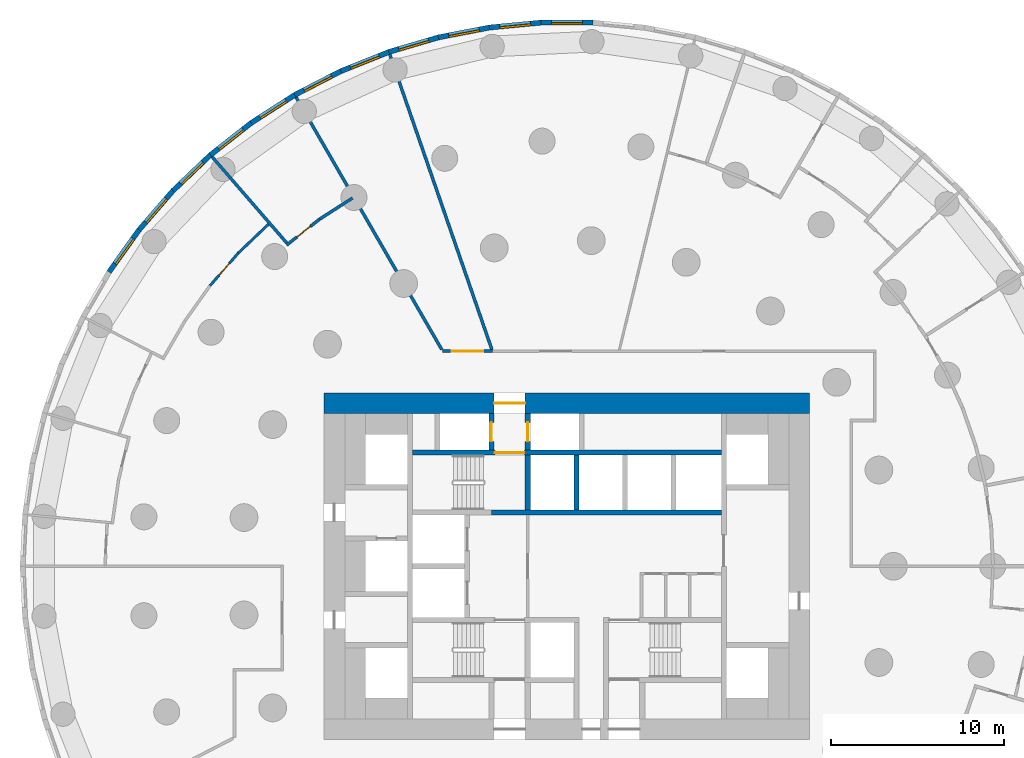
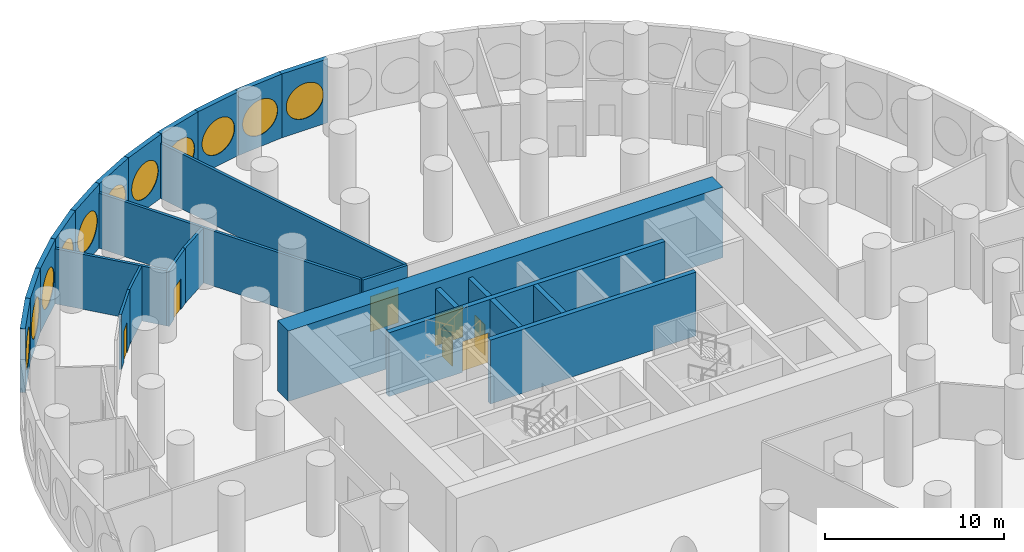
# One storey, part 7 of 12: 26 walls, 11 windows, 7 doors, 18 openings.
"""IFC4 building model written with IfcOpenShell, lengths in metres."""

from ifc_helpers import new_model, si_unit, direction, frame, frame_2d, origin, origin_2d, place, context, subcontext, project, spatial, rectangle, circle, extrude, material, layer, layer_set, type_object, element, fill, save


model = new_model("IFC4")

# Units and contexts
model_context = context("Model", 3, precision=1e-05, world=origin(), true_north=direction((0.0, 1.0)))
body_context = subcontext(model_context, "Body", "Model", "MODEL_VIEW")
ifc_project = project(units=[si_unit("LENGTHUNIT", "METRE"), si_unit("AREAUNIT", "SQUARE_METRE"), si_unit("VOLUMEUNIT", "CUBIC_METRE"), si_unit("PLANEANGLEUNIT", "RADIAN"), si_unit("MASSUNIT", "GRAM", prefix="KILO")], contexts=[model_context])

# Site, building, storey
site_placement = place(None, origin())
site = spatial("IfcSite", under=ifc_project, at=site_placement, CompositionType="ELEMENT")
building_placement = place(site_placement, origin())
building = spatial("IfcBuilding", under=site, at=building_placement, Name="Tracery Tower", CompositionType="ELEMENT")
storey_placement = place(building_placement, frame((0.0, 0.0, 13.800048828125)))
storey = spatial("IfcBuildingStorey", under=building, at=storey_placement, Name="L02", CompositionType="ELEMENT", Elevation=13.800048828125)

# Walls
ifc_material_1 = material(Name="Plasterboard on steel studs", Category="steel")
ifc_layer_1 = layer(ifc_material_1, 0.175048828125)
ifc_layer_set_1 = layer_set([ifc_layer_1], Name="Compartment partition 175")
wall_type_1 = type_object("IfcWallType", Name="Compartment partition 175", PredefinedType="PARTITIONING", material=ifc_layer_set_1)
wall_1_placement = place(storey_placement, frame((-20.447509765625, 23.59765625, 0.0), z_axis=(0.0, 0.0, 1.0), x_axis=(0.654861215344, -0.755749157219, 0.0)))
element("IfcWall", 1, at=wall_1_placement, inside=storey, type_object=wall_type_1, Name="Compartment partition 175", PredefinedType="PARTITIONING", context=body_context, shape_type="SweptSolid", body=[
    extrude(rectangle(XDim=6.570068359375, YDim=0.175048828125, at=frame_2d((3.28515625, 0.0))), origin(), (0.0, 0.0, 1.0), 3.75),
])
wall_2_placement = place(storey_placement, frame((-15.612060546875, 27.041015625, 0.0), z_axis=(0.0, 0.0, 1.0), x_axis=(0.49999534853, -0.866028089296, 0.0)))
element("IfcWall", 2, at=wall_2_placement, inside=storey, type_object=wall_type_1, Name="Compartment partition 175", PredefinedType="PARTITIONING", context=body_context, shape_type="SweptSolid", body=[
    extrude(rectangle(XDim=16.804931640625, YDim=0.175048828125, at=frame_2d((8.40234375, 0.0))), origin(), (0.0, 0.0, 1.0), 3.75),
])

# Wall, opening, door
wall_3_placement = place(storey_placement, frame((-16.156494140625, 18.51220703125, 0.0), z_axis=(0.0, 0.0, 1.0), x_axis=(0.786056297317, 0.618154913795, 0.0)))
wall_3 = element("IfcWall", 3, at=wall_3_placement, inside=storey, type_object=wall_type_1, Name="Compartment partition 175", PredefinedType="PARTITIONING", context=body_context, shape_type="SweptSolid", body=[
    extrude(rectangle(XDim=2.42529296875, YDim=0.175048828125, at=frame_2d((1.212646484375, 0.0))), origin(), (0.0, 0.0, 1.0), 3.75),
])
opening_1_placement = place(wall_3_placement, frame((0.756591796875, 0.0, 0.0)))
opening_1 = element("IfcOpeningElement", 4, at=opening_1_placement, cuts=wall_3, Name="Opening SB-L02-16", PredefinedType="OPENING", context=body_context, shape_type="SweptSolid", body=[
    extrude(rectangle(XDim=1.0, YDim=2.10009765625, at=frame_2d((0.5, 1.050048828125))), frame((0.0, 0.08740234375, 0.0), z_axis=(0.0, -1.0, 0.0), x_axis=(1.0, 0.0, 0.0)), (0.0, 0.0, 1.0), 0.175048828125),
])
ifc_material_2 = material(Name="Timber door leaf", Category="wood")
door_type_1 = type_object("IfcDoorType", Name="Public room door 1000", OperationType="NOTDEFINED", PredefinedType="DOOR", material=ifc_material_2)
door_1_placement = place(opening_1_placement, origin())
door_1 = element("IfcDoor", 5, at=door_1_placement, inside=storey, type_object=door_type_1, Name="Public room door 1000", OperationType="SINGLE_SWING_RIGHT", OverallHeight=2.10009765625, OverallWidth=1.0, PredefinedType="DOOR", context=body_context, shape_type="SweptSolid", body=[
    extrude(rectangle(XDim=1.0, YDim=2.10009765625, at=frame_2d((0.5, 1.050048828125))), frame((0.0, 0.02490234375, 0.0), z_axis=(0.0, -1.0, 0.0), x_axis=(1.0, 0.0, 0.0)), (0.0, 0.0, 1.0), 0.050048828125),
])
fill(opening_1, door_1)

# Walls
wall_4_placement = place(storey_placement, frame((-12.35888671875, 21.226806640625, 0.0), z_axis=(0.0, 0.0, 1.0), x_axis=(-0.841256097882, -0.540636826137, 0.0)))
element("IfcWall", 6, at=wall_4_placement, inside=storey, type_object=wall_type_1, Name="Compartment partition 175", PredefinedType="PARTITIONING", context=body_context, shape_type="SweptSolid", body=[
    extrude(rectangle(XDim=2.248046875, YDim=0.175048828125, at=frame_2d((1.1240234375, 0.0))), origin(), (0.0, 0.0, 1.0), 3.75),
])
wall_5_placement = place(storey_placement, frame((-10.21240234375, 29.507080078125, 0.0), z_axis=(0.0, 0.0, 1.0), x_axis=(0.327061210949, -0.945003155705, 0.0)))
element("IfcWall", 7, at=wall_5_placement, inside=storey, type_object=wall_type_1, Name="Compartment partition 175", PredefinedType="PARTITIONING", context=body_context, shape_type="SweptSolid", body=[
    extrude(rectangle(XDim=18.010009765625, YDim=0.175048828125, at=frame_2d((9.0048828125, 0.0))), origin(), (0.0, 0.0, 1.0), 3.75),
])

# Wall, opening, door
wall_6_placement = place(storey_placement, frame((-7.1591796875, 12.39990234375, 0.0), z_axis=(0.0, 0.0, 1.0), x_axis=(1.0, 0.0, 0.0)))
wall_6 = element("IfcWall", 8, at=wall_6_placement, inside=storey, type_object=wall_type_1, Name="Compartment partition 175", PredefinedType="PARTITIONING", context=body_context, shape_type="SweptSolid", body=[
    extrude(rectangle(XDim=2.867431640625, YDim=0.175048828125, at=frame_2d((1.43359375, 0.0))), origin(), (0.0, 0.0, 1.0), 3.75),
])
opening_2_placement = place(wall_6_placement, frame((0.53369140625, 0.0, 0.0)))
opening_2 = element("IfcOpeningElement", 9, at=opening_2_placement, cuts=wall_6, Name="Opening SB-L02-15", PredefinedType="OPENING", context=body_context, shape_type="SweptSolid", body=[
    extrude(rectangle(XDim=1.800048828125, YDim=2.39990234375, at=frame_2d((0.89990234375, 1.199951171875))), frame((0.0, 0.08740234375, 0.0), z_axis=(0.0, -1.0, 0.0), x_axis=(1.0, 0.0, 0.0)), (0.0, 0.0, 1.0), 0.175048828125),
])
ifc_material_3 = material(Name="Glazed aluminium door", Category="aluminium")
door_type_2 = type_object("IfcDoorType", Name="Hall double door 1800", OperationType="DOUBLE_DOOR_SINGLE_SWING", PredefinedType="DOOR", material=ifc_material_3)
door_2_placement = place(opening_2_placement, origin())
door_2 = element("IfcDoor", 10, at=door_2_placement, inside=storey, type_object=door_type_2, Name="Hall double door 1800", OperationType="DOUBLE_DOOR_SINGLE_SWING", OverallHeight=2.39990234375, OverallWidth=1.800048828125, PredefinedType="DOOR", context=body_context, shape_type="SweptSolid", body=[
    extrude(rectangle(XDim=1.800048828125, YDim=2.39990234375, at=frame_2d((0.89990234375, 1.199951171875))), frame((0.0, 0.02490234375, 0.0), z_axis=(0.0, -1.0, 0.0), x_axis=(1.0, 0.0, 0.0)), (0.0, 0.0, 1.0), 0.050048828125),
])
fill(opening_2, door_2)

ifc_material_4 = material(Name="Concrete C60/75", Category="concrete")
ifc_layer_2 = layer(ifc_material_4, 1.199951171875)
ifc_layer_set_2 = layer_set([ifc_layer_2], Name="Core wall 1200 C60")
wall_type_2 = type_object("IfcWallType", Name="Core wall 1200 C60", PredefinedType="SOLIDWALL", material=ifc_layer_set_2)
wall_7_placement = place(storey_placement, frame((-14.0, 9.39990234375, 0.0), z_axis=(0.0, 0.0, 1.0), x_axis=(1.0, 0.0, 0.0)))
wall_7 = element("IfcWall", 11, at=wall_7_placement, inside=storey, type_object=wall_type_2, Name="L02 outer N", PredefinedType="SOLIDWALL", context=body_context, shape_type="SweptSolid", body=[
    extrude(rectangle(XDim=28.0, YDim=1.199951171875, at=frame_2d((14.0, 0.0))), origin(), (0.0, 0.0, 1.0), 4.800048828125),
])
opening_3_placement = place(wall_7_placement, frame((9.800048828125, 0.0, 0.0)))
opening_3 = element("IfcOpeningElement", 12, at=opening_3_placement, cuts=wall_7, Name="Opening KD13", PredefinedType="OPENING", context=body_context, shape_type="SweptSolid", body=[
    extrude(rectangle(XDim=1.800048828125, YDim=2.10009765625, at=frame_2d((0.89990234375, 1.050048828125))), frame((0.0, 0.60009765625, 0.0), z_axis=(0.0, -1.0, 0.0), x_axis=(1.0, 0.0, 0.0)), (0.0, 0.0, 1.0), 1.199951171875),
])
ifc_material_5 = material(Name="Steel fire door", Category="steel")
door_type_3 = type_object("IfcDoorType", Name="Core exit door 1800 double", OperationType="NOTDEFINED", PredefinedType="DOOR", material=ifc_material_5)
door_3_placement = place(opening_3_placement, origin())
door_3 = element("IfcDoor", 13, at=door_3_placement, inside=storey, type_object=door_type_3, Name="Core exit door", OperationType="DOUBLE_DOOR_SINGLE_SWING", OverallHeight=2.10009765625, OverallWidth=1.800048828125, PredefinedType="DOOR", context=body_context, shape_type="SweptSolid", body=[
    extrude(rectangle(XDim=1.800048828125, YDim=2.10009765625, at=frame_2d((0.89990234375, 1.050048828125))), frame((0.0, 0.02490234375, 0.0), z_axis=(0.0, -1.0, 0.0), x_axis=(1.0, 0.0, 0.0)), (0.0, 0.0, 1.0), 0.050048828125),
])
fill(opening_3, door_3)

ifc_material_6 = material(Name="Plasterboard on steel studs", Category="steel")
ifc_layer_3 = layer(ifc_material_6, 0.14990234375)
ifc_layer_set_3 = layer_set([ifc_layer_3], Name="Corridor partition 150")
wall_type_3 = type_object("IfcWallType", Name="Corridor partition 150", PredefinedType="PARTITIONING", material=ifc_layer_set_3)
wall_8_placement = place(storey_placement, frame((-20.56982421875, 16.17626953125, 0.0), z_axis=(0.0, 0.0, 1.0), x_axis=(0.654811090291, 0.755792587971, 0.0)))
wall_8 = element("IfcWall", 14, at=wall_8_placement, inside=storey, type_object=wall_type_3, Name="Corridor partition 150", PredefinedType="PARTITIONING", context=body_context, shape_type="SweptSolid", body=[
    extrude(rectangle(XDim=2.490234375, YDim=0.14990234375, at=frame_2d((1.2451171875, 0.0))), origin(), (0.0, 0.0, 1.0), 3.75),
])
opening_4_placement = place(wall_8_placement, frame((0.795166015625, 0.0, 0.0)))
opening_4 = element("IfcOpeningElement", 15, at=opening_4_placement, cuts=wall_8, Name="Opening SB-L02-17", PredefinedType="OPENING", context=body_context, shape_type="SweptSolid", body=[
    extrude(rectangle(XDim=0.89990234375, YDim=2.10009765625, at=frame_2d((0.449951171875, 1.050048828125))), frame((0.0, 0.074951171875, 0.0), z_axis=(0.0, -1.0, 0.0), x_axis=(1.0, 0.0, 0.0)), (0.0, 0.0, 1.0), 0.14990234375),
])
ifc_material_7 = material(Name="Steel fire door", Category="steel")
door_type_4 = type_object("IfcDoorType", Name="Store door 900", OperationType="NOTDEFINED", PredefinedType="DOOR", material=ifc_material_7)
door_4_placement = place(opening_4_placement, origin())
door_4 = element("IfcDoor", 16, at=door_4_placement, inside=storey, type_object=door_type_4, Name="Store door 900", OperationType="SINGLE_SWING_RIGHT", OverallHeight=2.10009765625, OverallWidth=0.89990234375, PredefinedType="DOOR", context=body_context, shape_type="SweptSolid", body=[
    extrude(rectangle(XDim=0.89990234375, YDim=2.10009765625, at=frame_2d((0.449951171875, 1.050048828125))), frame((0.0, 0.02490234375, 0.0), z_axis=(0.0, -1.0, 0.0), x_axis=(1.0, 0.0, 0.0)), (0.0, 0.0, 1.0), 0.050048828125),
])
fill(opening_4, door_4)

# Wall
wall_9_placement = place(storey_placement, frame((-17.201416015625, 19.715087890625, 0.0), z_axis=(0.0, 0.0, 1.0), x_axis=(-0.723784784437, -0.690025786343, 0.0)))
element("IfcWall", 17, at=wall_9_placement, inside=storey, type_object=wall_type_3, Name="Corridor partition 150", PredefinedType="PARTITIONING", context=body_context, shape_type="SweptSolid", body=[
    extrude(rectangle(XDim=2.40087890625, YDim=0.14990234375, at=frame_2d((1.200439453125, 0.0))), origin(), (0.0, 0.0, 1.0), 3.75),
])

# Wall, opening, window
ifc_material_8 = material(Name="Precast concrete C50/60", Category="concrete")
ifc_layer_4 = layer(ifc_material_8, 0.300048828125)
ifc_layer_set_4 = layer_set([ifc_layer_4], Name="Facade panel 3000 x 4350")
wall_type_4 = type_object("IfcWallType", Name="Facade panel 3000 x 4350", PredefinedType="SOLIDWALL", material=ifc_layer_set_4)
wall_10_placement = place(storey_placement, frame((1.492919921875, 31.3388671875, 0.0), z_axis=(0.0, 0.0, 1.0), x_axis=(-1.0, 0.0, 0.0)))
wall_10 = element("IfcWall", 18, at=wall_10_placement, inside=storey, type_object=wall_type_4, Name="Facade panel 17 at L02", PredefinedType="SOLIDWALL", context=body_context, shape_type="SweptSolid", body=[
    extrude(rectangle(XDim=2.98583984375, YDim=0.300048828125, at=frame_2d((1.492919921875, 0.0))), origin(), (0.0, 0.0, 1.0), 4.349853515625),
])
opening_5_placement = place(wall_10_placement, frame((1.492919921875, 0.0, 2.0)))
opening_5 = element("IfcOpeningElement", 19, at=opening_5_placement, cuts=wall_10, Name="Opening WN2", PredefinedType="OPENING", context=body_context, shape_type="SweptSolid", body=[
    extrude(circle(Radius=1.199951171875, at=origin_2d()), frame((0.0, 0.159912109375, 0.0), z_axis=(0.0, -1.0, 0.0), x_axis=(1.0, 0.0, 0.0)), (0.0, 0.0, 1.0), 0.320068359375),
])
ifc_material_9 = material(Name="Aluminium frame with tinted double glazing", Category="aluminium")
window_type = type_object("IfcWindowType", Name="Round window 2400", PartitioningType="SINGLE_PANEL", PredefinedType="WINDOW", material=ifc_material_9)
window_1_placement = place(opening_5_placement, origin())
window_1 = element("IfcWindow", 20, at=window_1_placement, inside=storey, type_object=window_type, Name="Round window 17 at L02", OverallHeight=2.39990234375, OverallWidth=2.39990234375, PartitioningType="SINGLE_PANEL", PredefinedType="WINDOW", context=body_context, shape_type="SweptSolid", body=[
    extrude(circle(Radius=1.199951171875, at=origin_2d()), frame((0.0, 0.1201171875, 0.0), z_axis=(0.0, -1.0, 0.0), x_axis=(1.0, 0.0, 0.0)), (0.0, 0.0, 1.0), 0.10009765625),
])
fill(opening_5, window_1)

wall_11_placement = place(storey_placement, frame((-1.492919921875, 31.3388671875, 0.0), z_axis=(0.0, 0.0, 1.0), x_axis=(-0.99547560533, -0.095017467833, 0.0)))
wall_11 = element("IfcWall", 21, at=wall_11_placement, inside=storey, type_object=wall_type_4, Name="Facade panel 18 at L02", PredefinedType="SOLIDWALL", context=body_context, shape_type="SweptSolid", body=[
    extrude(rectangle(XDim=2.985595703125, YDim=0.300048828125, at=frame_2d((1.49267578125, 0.0))), origin(), (0.0, 0.0, 1.0), 4.349853515625),
])
opening_6_placement = place(wall_11_placement, frame((1.492919921875, 0.0, 2.0)))
opening_6 = element("IfcOpeningElement", 22, at=opening_6_placement, cuts=wall_11, Name="Opening WN2", PredefinedType="OPENING", context=body_context, shape_type="SweptSolid", body=[
    extrude(circle(Radius=1.199951171875, at=origin_2d()), frame((0.0, 0.159912109375, 0.0), z_axis=(0.0, -1.0, 0.0), x_axis=(1.0, 0.0, 0.0)), (0.0, 0.0, 1.0), 0.320068359375),
])
window_2_placement = place(opening_6_placement, origin())
window_2 = element("IfcWindow", 23, at=window_2_placement, inside=storey, type_object=window_type, Name="Round window 18 at L02", OverallHeight=2.39990234375, OverallWidth=2.39990234375, PartitioningType="SINGLE_PANEL", PredefinedType="WINDOW", context=body_context, shape_type="SweptSolid", body=[
    extrude(circle(Radius=1.199951171875, at=origin_2d()), frame((0.0, 0.1201171875, 0.0), z_axis=(0.0, -1.0, 0.0), x_axis=(1.0, 0.0, 0.0)), (0.0, 0.0, 1.0), 0.10009765625),
])
fill(opening_6, window_2)

wall_12_placement = place(storey_placement, frame((-4.465087890625, 31.05517578125, 0.0), z_axis=(0.0, 0.0, 1.0), x_axis=(-0.981918853666, -0.189302310646, 0.0)))
wall_12 = element("IfcWall", 24, at=wall_12_placement, inside=storey, type_object=wall_type_4, Name="Facade panel 19 at L02", PredefinedType="SOLIDWALL", context=body_context, shape_type="SweptSolid", body=[
    extrude(rectangle(XDim=2.985595703125, YDim=0.300048828125, at=frame_2d((1.49267578125, 0.0))), origin(), (0.0, 0.0, 1.0), 4.349853515625),
])
opening_7_placement = place(wall_12_placement, frame((1.492919921875, 0.0, 2.0)))
opening_7 = element("IfcOpeningElement", 25, at=opening_7_placement, cuts=wall_12, Name="Opening WN2", PredefinedType="OPENING", context=body_context, shape_type="SweptSolid", body=[
    extrude(circle(Radius=1.199951171875, at=origin_2d()), frame((0.0, 0.159912109375, 0.0), z_axis=(0.0, -1.0, 0.0), x_axis=(1.0, 0.0, 0.0)), (0.0, 0.0, 1.0), 0.320068359375),
])
window_3_placement = place(opening_7_placement, origin())
window_3 = element("IfcWindow", 26, at=window_3_placement, inside=storey, type_object=window_type, Name="Round window 19 at L02", OverallHeight=2.39990234375, OverallWidth=2.39990234375, PartitioningType="SINGLE_PANEL", PredefinedType="WINDOW", context=body_context, shape_type="SweptSolid", body=[
    extrude(circle(Radius=1.199951171875, at=origin_2d()), frame((0.0, 0.1201171875, 0.0), z_axis=(0.0, -1.0, 0.0), x_axis=(1.0, 0.0, 0.0)), (0.0, 0.0, 1.0), 0.10009765625),
])
fill(opening_7, window_3)

wall_13_placement = place(storey_placement, frame((-7.396728515625, 30.489990234375, 0.0), z_axis=(0.0, 0.0, 1.0), x_axis=(-0.959502108153, -0.281701445593, 0.0)))
wall_13 = element("IfcWall", 27, at=wall_13_placement, inside=storey, type_object=wall_type_4, Name="Facade panel 20 at L02", PredefinedType="SOLIDWALL", context=body_context, shape_type="SweptSolid", body=[
    extrude(rectangle(XDim=2.985595703125, YDim=0.300048828125, at=frame_2d((1.49267578125, 0.0))), origin(), (0.0, 0.0, 1.0), 4.349853515625),
])
opening_8_placement = place(wall_13_placement, frame((1.492919921875, 0.0, 2.0)))
opening_8 = element("IfcOpeningElement", 28, at=opening_8_placement, cuts=wall_13, Name="Opening WN2", PredefinedType="OPENING", context=body_context, shape_type="SweptSolid", body=[
    extrude(circle(Radius=1.199951171875, at=origin_2d()), frame((0.0, 0.159912109375, 0.0), z_axis=(0.0, -1.0, 0.0), x_axis=(1.0, 0.0, 0.0)), (0.0, 0.0, 1.0), 0.320068359375),
])
window_4_placement = place(opening_8_placement, origin())
window_4 = element("IfcWindow", 29, at=window_4_placement, inside=storey, type_object=window_type, Name="Round window 20 at L02", OverallHeight=2.39990234375, OverallWidth=2.39990234375, PartitioningType="SINGLE_PANEL", PredefinedType="WINDOW", context=body_context, shape_type="SweptSolid", body=[
    extrude(circle(Radius=1.199951171875, at=origin_2d()), frame((0.0, 0.1201171875, 0.0), z_axis=(0.0, -1.0, 0.0), x_axis=(1.0, 0.0, 0.0)), (0.0, 0.0, 1.0), 0.10009765625),
])
fill(opening_8, window_4)

wall_14_placement = place(storey_placement, frame((-10.261474609375, 29.64892578125, 0.0), z_axis=(0.0, 0.0, 1.0), x_axis=(-0.928380795373, -0.371630325434, 0.0)))
wall_14 = element("IfcWall", 30, at=wall_14_placement, inside=storey, type_object=wall_type_4, Name="Facade panel 21 at L02", PredefinedType="SOLIDWALL", context=body_context, shape_type="SweptSolid", body=[
    extrude(rectangle(XDim=2.98583984375, YDim=0.300048828125, at=frame_2d((1.492919921875, 0.0))), origin(), (0.0, 0.0, 1.0), 4.349853515625),
])
opening_9_placement = place(wall_14_placement, frame((1.492919921875, 0.0, 2.0)))
opening_9 = element("IfcOpeningElement", 31, at=opening_9_placement, cuts=wall_14, Name="Opening WN2", PredefinedType="OPENING", context=body_context, shape_type="SweptSolid", body=[
    extrude(circle(Radius=1.199951171875, at=origin_2d()), frame((0.0, 0.159912109375, 0.0), z_axis=(0.0, -1.0, 0.0), x_axis=(1.0, 0.0, 0.0)), (0.0, 0.0, 1.0), 0.320068359375),
])
window_5_placement = place(opening_9_placement, origin())
window_5 = element("IfcWindow", 32, at=window_5_placement, inside=storey, type_object=window_type, Name="Round window 21 at L02", OverallHeight=2.39990234375, OverallWidth=2.39990234375, PartitioningType="SINGLE_PANEL", PredefinedType="WINDOW", context=body_context, shape_type="SweptSolid", body=[
    extrude(circle(Radius=1.199951171875, at=origin_2d()), frame((0.0, 0.1201171875, 0.0), z_axis=(0.0, -1.0, 0.0), x_axis=(1.0, 0.0, 0.0)), (0.0, 0.0, 1.0), 0.10009765625),
])
fill(opening_9, window_5)

wall_15_placement = place(storey_placement, frame((-13.033447265625, 28.539306640625, 0.0), z_axis=(0.0, 0.0, 1.0), x_axis=(-0.888831268481, -0.458234630043, 0.0)))
wall_15 = element("IfcWall", 33, at=wall_15_placement, inside=storey, type_object=wall_type_4, Name="Facade panel 22 at L02", PredefinedType="SOLIDWALL", context=body_context, shape_type="SweptSolid", body=[
    extrude(rectangle(XDim=2.98583984375, YDim=0.300048828125, at=frame_2d((1.492919921875, 0.0))), origin(), (0.0, 0.0, 1.0), 4.349853515625),
])
opening_10_placement = place(wall_15_placement, frame((1.492919921875, 0.0, 2.0)))
opening_10 = element("IfcOpeningElement", 34, at=opening_10_placement, cuts=wall_15, Name="Opening WN2", PredefinedType="OPENING", context=body_context, shape_type="SweptSolid", body=[
    extrude(circle(Radius=1.199951171875, at=origin_2d()), frame((0.0, 0.159912109375, 0.0), z_axis=(0.0, -1.0, 0.0), x_axis=(1.0, 0.0, 0.0)), (0.0, 0.0, 1.0), 0.320068359375),
])
window_6_placement = place(opening_10_placement, origin())
window_6 = element("IfcWindow", 35, at=window_6_placement, inside=storey, type_object=window_type, Name="Round window 22 at L02", OverallHeight=2.39990234375, OverallWidth=2.39990234375, PartitioningType="SINGLE_PANEL", PredefinedType="WINDOW", context=body_context, shape_type="SweptSolid", body=[
    extrude(circle(Radius=1.199951171875, at=origin_2d()), frame((0.0, 0.1201171875, 0.0), z_axis=(0.0, -1.0, 0.0), x_axis=(1.0, 0.0, 0.0)), (0.0, 0.0, 1.0), 0.10009765625),
])
fill(opening_10, window_6)

wall_16_placement = place(storey_placement, frame((-15.687255859375, 27.171142578125, 0.0), z_axis=(0.0, 0.0, 1.0), x_axis=(-0.841242231846, -0.540658401727, 0.0)))
wall_16 = element("IfcWall", 36, at=wall_16_placement, inside=storey, type_object=wall_type_4, Name="Facade panel 23 at L02", PredefinedType="SOLIDWALL", context=body_context, shape_type="SweptSolid", body=[
    extrude(rectangle(XDim=2.98583984375, YDim=0.300048828125, at=frame_2d((1.492919921875, 0.0))), origin(), (0.0, 0.0, 1.0), 4.349853515625),
])
opening_11_placement = place(wall_16_placement, frame((1.492919921875, 0.0, 2.0)))
opening_11 = element("IfcOpeningElement", 37, at=opening_11_placement, cuts=wall_16, Name="Opening WN2", PredefinedType="OPENING", context=body_context, shape_type="SweptSolid", body=[
    extrude(circle(Radius=1.199951171875, at=origin_2d()), frame((0.0, 0.159912109375, 0.0), z_axis=(0.0, -1.0, 0.0), x_axis=(1.0, 0.0, 0.0)), (0.0, 0.0, 1.0), 0.320068359375),
])
window_7_placement = place(opening_11_placement, origin())
window_7 = element("IfcWindow", 38, at=window_7_placement, inside=storey, type_object=window_type, Name="Round window 23 at L02", OverallHeight=2.39990234375, OverallWidth=2.39990234375, PartitioningType="SINGLE_PANEL", PredefinedType="WINDOW", context=body_context, shape_type="SweptSolid", body=[
    extrude(circle(Radius=1.199951171875, at=origin_2d()), frame((0.0, 0.1201171875, 0.0), z_axis=(0.0, -1.0, 0.0), x_axis=(1.0, 0.0, 0.0)), (0.0, 0.0, 1.0), 0.10009765625),
])
fill(opening_11, window_7)

wall_17_placement = place(storey_placement, frame((-18.198974609375, 25.556884765625, 0.0), z_axis=(0.0, 0.0, 1.0), x_axis=(-0.786043032847, -0.618171780747, 0.0)))
wall_17 = element("IfcWall", 39, at=wall_17_placement, inside=storey, type_object=wall_type_4, Name="Facade panel 24 at L02", PredefinedType="SOLIDWALL", context=body_context, shape_type="SweptSolid", body=[
    extrude(rectangle(XDim=2.98583984375, YDim=0.300048828125, at=frame_2d((1.492919921875, 0.0))), origin(), (0.0, 0.0, 1.0), 4.349853515625),
])
opening_12_placement = place(wall_17_placement, frame((1.492919921875, 0.0, 2.0)))
opening_12 = element("IfcOpeningElement", 40, at=opening_12_placement, cuts=wall_17, Name="Opening WN2", PredefinedType="OPENING", context=body_context, shape_type="SweptSolid", body=[
    extrude(circle(Radius=1.199951171875, at=origin_2d()), frame((0.0, 0.159912109375, 0.0), z_axis=(0.0, -1.0, 0.0), x_axis=(1.0, 0.0, 0.0)), (0.0, 0.0, 1.0), 0.320068359375),
])
window_8_placement = place(opening_12_placement, origin())
window_8 = element("IfcWindow", 41, at=window_8_placement, inside=storey, type_object=window_type, Name="Round window 24 at L02", OverallHeight=2.39990234375, OverallWidth=2.39990234375, PartitioningType="SINGLE_PANEL", PredefinedType="WINDOW", context=body_context, shape_type="SweptSolid", body=[
    extrude(circle(Radius=1.199951171875, at=origin_2d()), frame((0.0, 0.1201171875, 0.0), z_axis=(0.0, -1.0, 0.0), x_axis=(1.0, 0.0, 0.0)), (0.0, 0.0, 1.0), 0.10009765625),
])
fill(opening_12, window_8)

wall_18_placement = place(storey_placement, frame((-20.5458984375, 23.711181640625, 0.0), z_axis=(0.0, 0.0, 1.0), x_axis=(-0.723750841228, -0.690061388444, 0.0)))
wall_18 = element("IfcWall", 42, at=wall_18_placement, inside=storey, type_object=wall_type_4, Name="Facade panel 25 at L02", PredefinedType="SOLIDWALL", context=body_context, shape_type="SweptSolid", body=[
    extrude(rectangle(XDim=2.985595703125, YDim=0.300048828125, at=frame_2d((1.49267578125, 0.0))), origin(), (0.0, 0.0, 1.0), 4.349853515625),
])
opening_13_placement = place(wall_18_placement, frame((1.492919921875, 0.0, 2.0)))
opening_13 = element("IfcOpeningElement", 43, at=opening_13_placement, cuts=wall_18, Name="Opening WN2", PredefinedType="OPENING", context=body_context, shape_type="SweptSolid", body=[
    extrude(circle(Radius=1.199951171875, at=origin_2d()), frame((0.0, 0.159912109375, 0.0), z_axis=(0.0, -1.0, 0.0), x_axis=(1.0, 0.0, 0.0)), (0.0, 0.0, 1.0), 0.320068359375),
])
window_9_placement = place(opening_13_placement, origin())
window_9 = element("IfcWindow", 44, at=window_9_placement, inside=storey, type_object=window_type, Name="Round window 25 at L02", OverallHeight=2.39990234375, OverallWidth=2.39990234375, PartitioningType="SINGLE_PANEL", PredefinedType="WINDOW", context=body_context, shape_type="SweptSolid", body=[
    extrude(circle(Radius=1.199951171875, at=origin_2d()), frame((0.0, 0.1201171875, 0.0), z_axis=(0.0, -1.0, 0.0), x_axis=(1.0, 0.0, 0.0)), (0.0, 0.0, 1.0), 0.10009765625),
])
fill(opening_13, window_9)

wall_19_placement = place(storey_placement, frame((-22.706787109375, 21.65087890625, 0.0), z_axis=(0.0, 0.0, 1.0), x_axis=(-0.654809121128, -0.755794294029, 0.0)))
wall_19 = element("IfcWall", 45, at=wall_19_placement, inside=storey, type_object=wall_type_4, Name="Facade panel 26 at L02", PredefinedType="SOLIDWALL", context=body_context, shape_type="SweptSolid", body=[
    extrude(rectangle(XDim=2.98583984375, YDim=0.300048828125, at=frame_2d((1.492919921875, 0.0))), origin(), (0.0, 0.0, 1.0), 4.349853515625),
])
opening_14_placement = place(wall_19_placement, frame((1.492919921875, 0.0, 2.0)))
opening_14 = element("IfcOpeningElement", 46, at=opening_14_placement, cuts=wall_19, Name="Opening WN2", PredefinedType="OPENING", context=body_context, shape_type="SweptSolid", body=[
    extrude(circle(Radius=1.199951171875, at=origin_2d()), frame((0.0, 0.159912109375, 0.0), z_axis=(0.0, -1.0, 0.0), x_axis=(1.0, 0.0, 0.0)), (0.0, 0.0, 1.0), 0.320068359375),
])
window_10_placement = place(opening_14_placement, origin())
window_10 = element("IfcWindow", 47, at=window_10_placement, inside=storey, type_object=window_type, Name="Round window 26 at L02", OverallHeight=2.39990234375, OverallWidth=2.39990234375, PartitioningType="SINGLE_PANEL", PredefinedType="WINDOW", context=body_context, shape_type="SweptSolid", body=[
    extrude(circle(Radius=1.199951171875, at=origin_2d()), frame((0.0, 0.1201171875, 0.0), z_axis=(0.0, -1.0, 0.0), x_axis=(1.0, 0.0, 0.0)), (0.0, 0.0, 1.0), 0.10009765625),
])
fill(opening_14, window_10)

wall_20_placement = place(storey_placement, frame((-24.661865234375, 19.394287109375, 0.0), z_axis=(0.0, 0.0, 1.0), x_axis=(-0.580100533892, -0.814544885551, 0.0)))
wall_20 = element("IfcWall", 48, at=wall_20_placement, inside=storey, type_object=wall_type_4, Name="Facade panel 27 at L02", PredefinedType="SOLIDWALL", context=body_context, shape_type="SweptSolid", body=[
    extrude(rectangle(XDim=2.985595703125, YDim=0.300048828125, at=frame_2d((1.49267578125, 0.0))), origin(), (0.0, 0.0, 1.0), 4.349853515625),
])
opening_15_placement = place(wall_20_placement, frame((1.492919921875, 0.0, 2.0)))
opening_15 = element("IfcOpeningElement", 49, at=opening_15_placement, cuts=wall_20, Name="Opening WN2", PredefinedType="OPENING", context=body_context, shape_type="SweptSolid", body=[
    extrude(circle(Radius=1.199951171875, at=origin_2d()), frame((0.0, 0.159912109375, 0.0), z_axis=(0.0, -1.0, 0.0), x_axis=(1.0, 0.0, 0.0)), (0.0, 0.0, 1.0), 0.320068359375),
])
window_11_placement = place(opening_15_placement, origin())
window_11 = element("IfcWindow", 50, at=window_11_placement, inside=storey, type_object=window_type, Name="Round window 27 at L02", OverallHeight=2.39990234375, OverallWidth=2.39990234375, PartitioningType="SINGLE_PANEL", PredefinedType="WINDOW", context=body_context, shape_type="SweptSolid", body=[
    extrude(circle(Radius=1.199951171875, at=origin_2d()), frame((0.0, 0.1201171875, 0.0), z_axis=(0.0, -1.0, 0.0), x_axis=(1.0, 0.0, 0.0)), (0.0, 0.0, 1.0), 0.10009765625),
])
fill(opening_15, window_11)

# Wall
ifc_material_10 = material(Name="Concrete C60/75", Category="concrete")
ifc_layer_5 = layer(ifc_material_10, 0.300048828125)
ifc_layer_set_5 = layer_set([ifc_layer_5], Name="Shaft wall 300 C60")
wall_type_5 = type_object("IfcWallType", Name="Shaft wall 300 C60", PredefinedType="SOLIDWALL", material=ifc_layer_set_5)
wall_21_placement = place(storey_placement, frame((0.550048828125, 3.25, 0.0), z_axis=(0.0, 0.0, 1.0), x_axis=(0.0, 1.0, 0.0)))
element("IfcWall", 51, at=wall_21_placement, inside=storey, type_object=wall_type_5, Name="L02 HR sep 1", PredefinedType="SOLIDWALL", context=body_context, shape_type="SweptSolid", body=[
    extrude(rectangle(XDim=3.14990234375, YDim=0.300048828125, at=frame_2d((1.574951171875, 0.0))), origin(), (0.0, 0.0, 1.0), 4.349853515625),
])

# Wall, opening, door
wall_22_placement = place(storey_placement, frame((-4.35009765625, 6.699951171875, 0.0), z_axis=(0.0, 0.0, 1.0), x_axis=(0.0, 1.0, 0.0)))
wall_22 = element("IfcWall", 52, at=wall_22_placement, inside=storey, type_object=wall_type_5, Name="L02 LR sep -4.35", PredefinedType="SOLIDWALL", context=body_context, shape_type="SweptSolid", body=[
    extrude(rectangle(XDim=2.10009765625, YDim=0.300048828125, at=frame_2d((1.050048828125, 0.0))), origin(), (0.0, 0.0, 1.0), 4.349853515625),
])
opening_16_placement = place(wall_22_placement, frame((0.5, 0.0, 0.0)))
opening_16 = element("IfcOpeningElement", 53, at=opening_16_placement, cuts=wall_22, Name="Opening KD50", PredefinedType="OPENING", context=body_context, shape_type="SweptSolid", body=[
    extrude(rectangle(XDim=1.10009765625, YDim=2.10009765625, at=frame_2d((0.550048828125, 1.050048828125))), frame((0.0, 0.14990234375, 0.0), z_axis=(0.0, -1.0, 0.0), x_axis=(1.0, 0.0, 0.0)), (0.0, 0.0, 1.0), 0.300048828125),
])
ifc_material_11 = material(Name="Steel fire door", Category="steel")
door_type_5 = type_object("IfcDoorType", Name="Landing door 1100", OperationType="NOTDEFINED", PredefinedType="DOOR", material=ifc_material_11)
door_5_placement = place(opening_16_placement, origin())
door_5 = element("IfcDoor", 54, at=door_5_placement, inside=storey, type_object=door_type_5, Name="Landing door LR3", OperationType="SLIDING_TO_RIGHT", OverallHeight=2.10009765625, OverallWidth=1.10009765625, PredefinedType="DOOR", context=body_context, shape_type="SweptSolid", body=[
    extrude(rectangle(XDim=1.10009765625, YDim=2.10009765625, at=frame_2d((0.550048828125, 1.050048828125))), frame((0.0, 0.02490234375, 0.0), z_axis=(0.0, -1.0, 0.0), x_axis=(1.0, 0.0, 0.0)), (0.0, 0.0, 1.0), 0.050048828125),
])
fill(opening_16, door_5)

# Walls
ifc_material_12 = material(Name="Concrete C60/75", Category="concrete")
ifc_layer_6 = layer(ifc_material_12, 0.300048828125)
ifc_layer_set_6 = layer_set([ifc_layer_6], Name="Stair wall 300 C60")
wall_type_6 = type_object("IfcWallType", Name="Stair wall 300 C60", PredefinedType="SOLIDWALL", material=ifc_layer_set_6)
wall_23_placement = place(storey_placement, frame((-4.35009765625, 3.10009765625, 0.0), z_axis=(0.0, 0.0, 1.0), x_axis=(1.0, 0.0, 0.0)))
element("IfcWall", 55, at=wall_23_placement, inside=storey, type_object=wall_type_6, Name="L02 row N", PredefinedType="SOLIDWALL", context=body_context, shape_type="SweptSolid", body=[
    extrude(rectangle(XDim=13.25, YDim=0.300048828125, at=frame_2d((6.625, 0.0))), origin(), (0.0, 0.0, 1.0), 4.349853515625),
])
wall_24_placement = place(storey_placement, frame((-2.25, 3.25, 0.0), z_axis=(0.0, 0.0, 1.0), x_axis=(0.0, 1.0, 0.0)))
element("IfcWall", 56, at=wall_24_placement, inside=storey, type_object=wall_type_6, Name="L02 ST3 E", PredefinedType="SOLIDWALL", context=body_context, shape_type="SweptSolid", body=[
    extrude(rectangle(XDim=3.14990234375, YDim=0.300048828125, at=frame_2d((1.574951171875, 0.0))), origin(), (0.0, 0.0, 1.0), 4.349853515625),
])

# Wall, opening, door
wall_25_placement = place(storey_placement, frame((-8.89990234375, 6.550048828125, 0.0), z_axis=(0.0, 0.0, 1.0), x_axis=(1.0, 0.0, 0.0)))
wall_25 = element("IfcWall", 57, at=wall_25_placement, inside=storey, type_object=wall_type_6, Name="L02 F N", PredefinedType="SOLIDWALL", context=body_context, shape_type="SweptSolid", body=[
    extrude(rectangle(XDim=17.7998046875, YDim=0.300048828125, at=frame_2d((8.89990234375, 0.0))), origin(), (0.0, 0.0, 1.0), 4.349853515625),
])
opening_17_placement = place(wall_25_placement, frame((4.75, 0.0, 0.0)))
opening_17 = element("IfcOpeningElement", 58, at=opening_17_placement, cuts=wall_25, Name="Opening KD3", PredefinedType="OPENING", context=body_context, shape_type="SweptSolid", body=[
    extrude(rectangle(XDim=1.699951171875, YDim=2.10009765625, at=frame_2d((0.85009765625, 1.050048828125))), frame((0.0, 0.14990234375, 0.0), z_axis=(0.0, -1.0, 0.0), x_axis=(1.0, 0.0, 0.0)), (0.0, 0.0, 1.0), 0.300048828125),
])
ifc_material_13 = material(Name="Steel fire door", Category="steel")
door_type_6 = type_object("IfcDoorType", Name="Core stair door 1700 double", OperationType="NOTDEFINED", PredefinedType="DOOR", material=ifc_material_13)
door_6_placement = place(opening_17_placement, origin())
door_6 = element("IfcDoor", 59, at=door_6_placement, inside=storey, type_object=door_type_6, Name="Stair door ST3 N", OperationType="DOUBLE_DOOR_SINGLE_SWING", OverallHeight=2.10009765625, OverallWidth=1.699951171875, PredefinedType="DOOR", context=body_context, shape_type="SweptSolid", body=[
    extrude(rectangle(XDim=1.699951171875, YDim=2.10009765625, at=frame_2d((0.85009765625, 1.050048828125))), frame((0.0, 0.02490234375, 0.0), z_axis=(0.0, -1.0, 0.0), x_axis=(1.0, 0.0, 0.0)), (0.0, 0.0, 1.0), 0.050048828125),
])
fill(opening_17, door_6)

wall_26_placement = place(storey_placement, frame((-2.25, 6.699951171875, 0.0), z_axis=(0.0, 0.0, 1.0), x_axis=(0.0, 1.0, 0.0)))
wall_26 = element("IfcWall", 60, at=wall_26_placement, inside=storey, type_object=wall_type_6, Name="L02 ST3 E out", PredefinedType="SOLIDWALL", context=body_context, shape_type="SweptSolid", body=[
    extrude(rectangle(XDim=2.10009765625, YDim=0.300048828125, at=frame_2d((1.050048828125, 0.0))), origin(), (0.0, 0.0, 1.0), 4.349853515625),
])
opening_18_placement = place(wall_26_placement, frame((0.5, 0.0, 0.0)))
opening_18 = element("IfcOpeningElement", 61, at=opening_18_placement, cuts=wall_26, Name="Opening KD49", PredefinedType="OPENING", context=body_context, shape_type="SweptSolid", body=[
    extrude(rectangle(XDim=1.10009765625, YDim=2.10009765625, at=frame_2d((0.550048828125, 1.050048828125))), frame((0.0, 0.14990234375, 0.0), z_axis=(0.0, -1.0, 0.0), x_axis=(1.0, 0.0, 0.0)), (0.0, 0.0, 1.0), 0.300048828125),
])
door_7_placement = place(opening_18_placement, origin())
door_7 = element("IfcDoor", 62, at=door_7_placement, inside=storey, type_object=door_type_5, Name="Landing door LR2", OperationType="SLIDING_TO_LEFT", OverallHeight=2.10009765625, OverallWidth=1.10009765625, PredefinedType="DOOR", context=body_context, shape_type="SweptSolid", body=[
    extrude(rectangle(XDim=1.10009765625, YDim=2.10009765625, at=frame_2d((0.550048828125, 1.050048828125))), frame((0.0, 0.02490234375, 0.0), z_axis=(0.0, -1.0, 0.0), x_axis=(1.0, 0.0, 0.0)), (0.0, 0.0, 1.0), 0.050048828125),
])
fill(opening_18, door_7)

save(model, "model.ifc")
